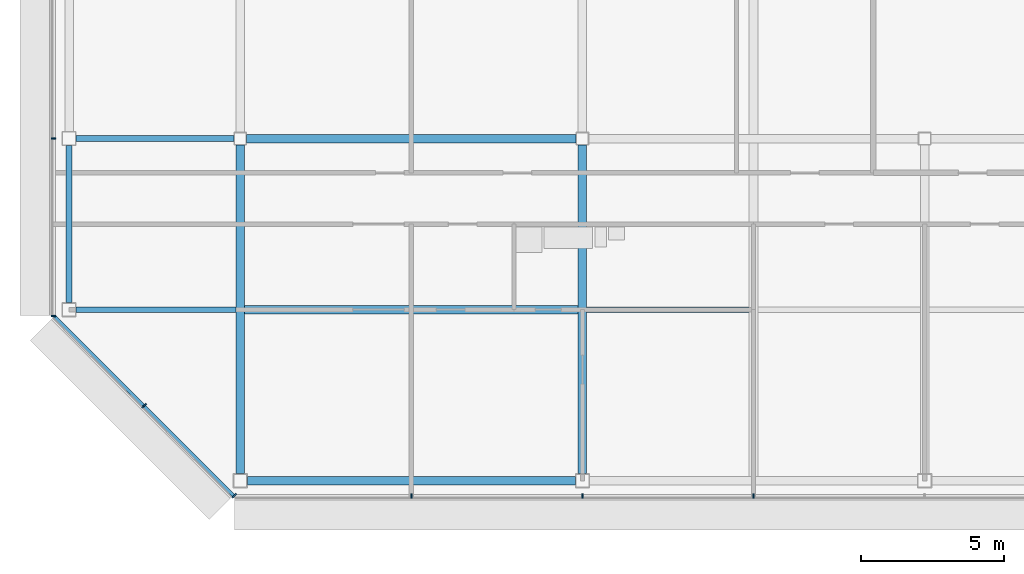
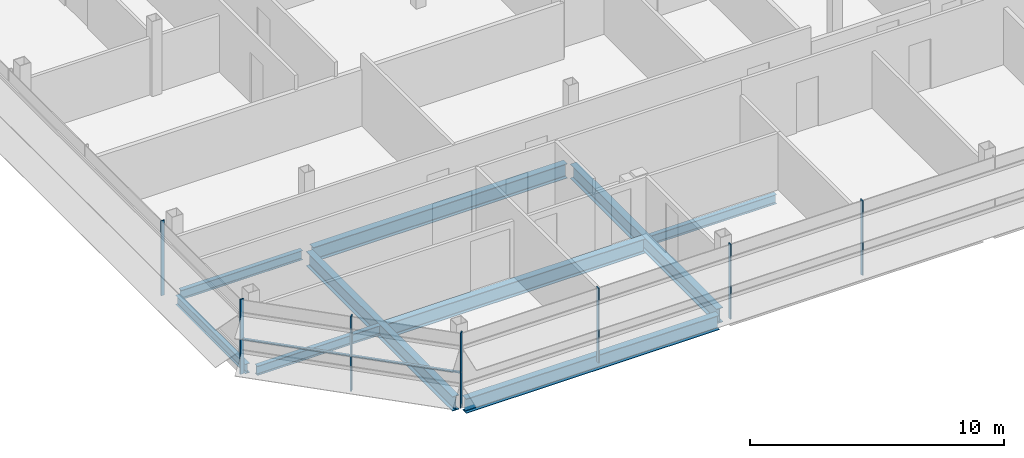
# One storey, part 4 of 27: 9 beams, 8 members, 3 elements without a shape of their own.
"""IFC4 building model written with IfcOpenShell, lengths in metres."""

from ifc_helpers import new_model, si_unit, direction, frame, origin, origin_2d, place, context, subcontext, project, spatial, rectangle, i_section, extrude, material, material_profile, profile_set, type_object, element, aggregate, save


model = new_model("IFC4")

# Units and contexts
model_context = context("Model", 3, precision=1e-05, world=origin(), true_north=direction((0.0, 1.0)))
body_context = subcontext(model_context, "Body", "Model", "MODEL_VIEW")
ifc_project = project(units=[si_unit("LENGTHUNIT", "METRE"), si_unit("AREAUNIT", "SQUARE_METRE"), si_unit("VOLUMEUNIT", "CUBIC_METRE"), si_unit("PLANEANGLEUNIT", "RADIAN"), si_unit("MASSUNIT", "GRAM", prefix="KILO")], contexts=[model_context])

# Site, building, storey
site_placement = place(None, origin())
site = spatial("IfcSite", under=ifc_project, at=site_placement, CompositionType="ELEMENT")
building_placement = place(site_placement, origin())
building = spatial("IfcBuilding", under=site, at=building_placement, Name="Sorahane Residences", CompositionType="ELEMENT")
storey_placement = place(building_placement, frame((0.0, 0.0, 312.39990234375)))
storey = spatial("IfcBuildingStorey", under=building, at=storey_placement, Name="L74", CompositionType="ELEMENT", Elevation=312.39990234375)

# Curtain wall, members
ifc_material_1 = material(Name="Dark low-e glass and black anodised aluminium", Category="aluminium")
curtain_wall_type_1 = type_object("IfcCurtainWallType", Name="Curtain wall CW-1 Typical unitised wall", PredefinedType="NOTDEFINED", material=ifc_material_1)
curtain_wall_1_placement = place(storey_placement, origin())
curtain_wall_1 = element("IfcCurtainWall", 1, at=curtain_wall_1_placement, inside=storey, type_object=curtain_wall_type_1, Name="CW-1 curtain wall L74 S1", PredefinedType="NOTDEFINED")
ifc_material_2 = material(Name="Black anodised aluminium", Category="aluminium")
ifc_material_profile_1 = material_profile(ifc_material_2, rectangle(XDim=0.159912109375, YDim=0.050048828125, at=origin_2d()), Name="Curtain wall mullion CW-1 black anodised aluminium 50x160")
ifc_profile_set_1 = profile_set([ifc_material_profile_1], Name="Black anodised aluminium")
member_type_1 = type_object("IfcMemberType", Name="Curtain wall mullion CW-1 black anodised aluminium 50x160", PredefinedType="MULLION", material=ifc_profile_set_1)
member_1_placement = place(storey_placement, frame((-6.0, -0.5400390625, -0.179931640625), z_axis=(0.0, 0.0, 1.0), x_axis=(0.0, -1.0, 0.0)))
member_1 = element("IfcMember", 2, at=member_1_placement, type_object=member_type_1, Name="CW-1 mullion L74 S1.2", PredefinedType="MULLION", context=body_context, shape_type="SweptSolid", body=[
    extrude(rectangle(XDim=0.159912109375, YDim=0.050048828125, at=origin_2d()), origin(), (0.0, 0.0, 1.0), 3.60009765625),
])
member_2_placement = place(storey_placement, frame((0.0, -0.5400390625, -0.179931640625), z_axis=(0.0, 0.0, 1.0), x_axis=(0.0, -1.0, 0.0)))
member_2 = element("IfcMember", 3, at=member_2_placement, type_object=member_type_1, Name="CW-1 mullion L74 S1.3", PredefinedType="MULLION", context=body_context, shape_type="SweptSolid", body=[
    extrude(rectangle(XDim=0.159912109375, YDim=0.050048828125, at=origin_2d()), origin(), (0.0, 0.0, 1.0), 3.60009765625),
])
member_3_placement = place(storey_placement, frame((6.0, -0.5400390625, -0.179931640625), z_axis=(0.0, 0.0, 1.0), x_axis=(0.0, -1.0, 0.0)))
member_3 = element("IfcMember", 4, at=member_3_placement, type_object=member_type_1, Name="CW-1 mullion L74 S1.4", PredefinedType="MULLION", context=body_context, shape_type="SweptSolid", body=[
    extrude(rectangle(XDim=0.159912109375, YDim=0.050048828125, at=origin_2d()), origin(), (0.0, 0.0, 1.0), 3.60009765625),
])
aggregate(curtain_wall_1, [member_1, member_2, member_3])

curtain_wall_2_placement = place(storey_placement, origin())
curtain_wall_2 = element("IfcCurtainWall", 5, at=curtain_wall_2_placement, inside=storey, type_object=curtain_wall_type_1, Name="CW-1 curtain wall L74 W1", PredefinedType="NOTDEFINED")
member_4_placement = place(storey_placement, frame((-18.5400390625, 12.0, -0.179931640625), z_axis=(0.0, 0.0, 1.0), x_axis=(-1.0, 0.0, 0.0)))
member_4 = element("IfcMember", 6, at=member_4_placement, type_object=member_type_1, Name="CW-1 mullion L74 W1.6", PredefinedType="MULLION", context=body_context, shape_type="SweptSolid", body=[
    extrude(rectangle(XDim=0.159912109375, YDim=0.050048828125, at=origin_2d()), origin(), (0.0, 0.0, 1.0), 3.60009765625),
])
member_5_placement = place(storey_placement, frame((-18.5400390625, 5.7763671875, -0.179931640625), z_axis=(0.0, 0.0, 1.0), x_axis=(-1.0, 0.0, 0.0)))
member_5 = element("IfcMember", 7, at=member_5_placement, type_object=member_type_1, Name="CW-1 mullion L74 W1.7", PredefinedType="MULLION", context=body_context, shape_type="SweptSolid", body=[
    extrude(rectangle(XDim=0.159912109375, YDim=0.050048828125, at=origin_2d()), origin(), (0.0, 0.0, 1.0), 3.60009765625),
])
aggregate(curtain_wall_2, [member_4, member_5])

ifc_material_3 = material(Name="Dark low-e glass and black anodised aluminium", Category="aluminium")
curtain_wall_type_2 = type_object("IfcCurtainWallType", Name="Curtain wall CW-2 Chamfer unitised wall", PredefinedType="NOTDEFINED", material=ifc_material_3)
curtain_wall_3_placement = place(storey_placement, origin())
curtain_wall_3 = element("IfcCurtainWall", 8, at=curtain_wall_3_placement, inside=storey, type_object=curtain_wall_type_2, Name="CW-2 curtain wall L74 SW1", PredefinedType="NOTDEFINED")
ifc_material_4 = material(Name="Black anodised aluminium", Category="aluminium")
ifc_material_profile_2 = material_profile(ifc_material_4, rectangle(XDim=0.199951171875, YDim=0.050048828125, at=origin_2d()), Name="Curtain wall mullion CW-2 black anodised aluminium 50x200")
ifc_profile_set_2 = profile_set([ifc_material_profile_2], Name="Black anodised aluminium")
member_type_2 = type_object("IfcMemberType", Name="Curtain wall mullion CW-2 black anodised aluminium 50x200", PredefinedType="MULLION", material=ifc_profile_set_2)
member_6_placement = place(storey_placement, frame((-15.36767578125, 2.63232421875, -0.179931640625), z_axis=(0.0, 0.0, 1.0), x_axis=(-0.707106781187, -0.707106781187, 0.0)))
member_6 = element("IfcMember", 9, at=member_6_placement, type_object=member_type_2, Name="CW-2 mullion L74 SW1.2", PredefinedType="MULLION", context=body_context, shape_type="SweptSolid", body=[
    extrude(rectangle(XDim=0.199951171875, YDim=0.050048828125, at=origin_2d()), origin(), (0.0, 0.0, 1.0), 3.60009765625),
])
member_7_placement = place(storey_placement, frame((-12.209716796875, -0.525634765625, -0.179931640625), z_axis=(0.0, 0.0, 1.0), x_axis=(-0.707106781187, -0.707106781187, 0.0)))
member_7 = element("IfcMember", 10, at=member_7_placement, type_object=member_type_2, Name="CW-2 mullion L74 SW1.3", PredefinedType="MULLION", context=body_context, shape_type="SweptSolid", body=[
    extrude(rectangle(XDim=0.199951171875, YDim=0.050048828125, at=origin_2d()), origin(), (0.0, 0.0, 1.0), 3.60009765625),
])
ifc_material_5 = material(Name="Black anodised aluminium", Category="aluminium")
ifc_material_profile_3 = material_profile(ifc_material_5, rectangle(XDim=0.10009765625, YDim=0.06005859375, at=origin_2d()), Name="Curtain wall transom CW-2 black anodised aluminium 60x100")
ifc_profile_set_3 = profile_set([ifc_material_profile_3], Name="Black anodised aluminium")
member_type_3 = type_object("IfcMemberType", Name="Curtain wall transom CW-2 black anodised aluminium 60x100", PredefinedType="USERDEFINED", material=ifc_profile_set_3)
member_8_placement = place(storey_placement, frame((-18.51513671875, 5.765625, 1.5), z_axis=(0.707106781187, -0.707106781187, 0.0), x_axis=(0.707106781187, 0.707106781187, 0.0)))
member_8 = element("IfcMember", 11, at=member_8_placement, type_object=member_type_3, Name="CW-2 transom L74 SW1", ObjectType="TRANSOM", PredefinedType="USERDEFINED", context=body_context, shape_type="SweptSolid", body=[
    extrude(rectangle(XDim=0.10009765625, YDim=0.06005859375, at=origin_2d()), origin(), (0.0, 0.0, 1.0), 8.88232421875),
])
aggregate(curtain_wall_3, [member_6, member_7, member_8])

# Beams
ifc_material_6 = material(Name="Steel Q355B", Category="steel")
ifc_material_profile_4 = material_profile(ifc_material_6, i_section(OverallWidth=0.199951171875, OverallDepth=0.449951171875, WebThickness=0.009033203125, FlangeThickness=0.013916015625, FilletRadius=0.02001953125, at=origin_2d()), Name="HN 450x200x9x14")
ifc_profile_set_4 = profile_set([ifc_material_profile_4], Name="Steel Q355B")
beam_type_1 = type_object("IfcBeamType", Name="Steel floor beam HN 450x200x9x14 Q355B", PredefinedType="BEAM", material=ifc_profile_set_4)
beam_1_placement = place(storey_placement, frame((-17.75, 12.0, -0.40478515625), z_axis=(1.0, 0.0, 0.0), x_axis=(0.0, 1.0, 0.0)))
element("IfcBeam", 12, at=beam_1_placement, inside=storey, type_object=beam_type_1, Name="Beam L74 005", PredefinedType="BEAM", context=body_context, shape_type="SweptSolid", body=[
    extrude(i_section(OverallWidth=0.199951171875, OverallDepth=0.449951171875, WebThickness=0.009033203125, FlangeThickness=0.013916015625, FilletRadius=0.02001953125, at=origin_2d()), origin(), (0.0, 0.0, 1.0), 5.52490234375),
])
beam_2_placement = place(storey_placement, frame((-18.0, 6.25, -0.40478515625), z_axis=(0.0, 1.0, 0.0), x_axis=(-1.0, 0.0, 0.0)))
element("IfcBeam", 13, at=beam_2_placement, inside=storey, type_object=beam_type_1, Name="Beam L74 020", PredefinedType="BEAM", context=body_context, shape_type="SweptSolid", body=[
    extrude(i_section(OverallWidth=0.199951171875, OverallDepth=0.449951171875, WebThickness=0.009033203125, FlangeThickness=0.013916015625, FilletRadius=0.02001953125, at=origin_2d()), origin(), (0.0, 0.0, 1.0), 5.5),
])
beam_3_placement = place(storey_placement, frame((-17.75, 6.0, -0.40478515625), z_axis=(1.0, 0.0, 0.0), x_axis=(0.0, 1.0, 0.0)))
element("IfcBeam", 14, at=beam_3_placement, inside=storey, type_object=beam_type_1, Name="Beam L74 066", PredefinedType="BEAM", context=body_context, shape_type="SweptSolid", body=[
    extrude(i_section(OverallWidth=0.199951171875, OverallDepth=0.449951171875, WebThickness=0.009033203125, FlangeThickness=0.013916015625, FilletRadius=0.02001953125, at=origin_2d()), origin(), (0.0, 0.0, 1.0), 5.60009765625),
])
beam_4_placement = place(storey_placement, frame((0.14990234375, 6.0, -0.40478515625), z_axis=(1.0, 0.0, 0.0), x_axis=(0.0, 1.0, 0.0)))
element("IfcBeam", 15, at=beam_4_placement, inside=storey, type_object=beam_type_1, Name="Beam L74 068", PredefinedType="BEAM", context=body_context, shape_type="SweptSolid", body=[
    extrude(i_section(OverallWidth=0.199951171875, OverallDepth=0.449951171875, WebThickness=0.009033203125, FlangeThickness=0.013916015625, FilletRadius=0.02001953125, at=origin_2d()), origin(), (0.0, 0.0, 1.0), 5.7001953125),
])
ifc_material_7 = material(Name="Steel Q355B", Category="steel")
ifc_material_profile_5 = material_profile(ifc_material_7, i_section(OverallWidth=0.300048828125, OverallDepth=0.699951171875, WebThickness=0.012939453125, FlangeThickness=0.02392578125, FilletRadius=0.028076171875, at=origin_2d()), Name="HN 700x300x13x24")
ifc_profile_set_5 = profile_set([ifc_material_profile_5], Name="Steel Q355B")
beam_type_2 = type_object("IfcBeamType", Name="Steel floor beam HN 700x300x13x24 Q355B", PredefinedType="BEAM", material=ifc_profile_set_5)
beam_5_placement = place(storey_placement, frame((-11.75, 0.0, -0.52978515625), z_axis=(1.0, 0.0, 0.0), x_axis=(0.0, 1.0, 0.0)))
element("IfcBeam", 16, at=beam_5_placement, inside=storey, type_object=beam_type_2, Name="Beam L74 000", PredefinedType="BEAM", context=body_context, shape_type="SweptSolid", body=[
    extrude(i_section(OverallWidth=0.300048828125, OverallDepth=0.699951171875, WebThickness=0.012939453125, FlangeThickness=0.02392578125, FilletRadius=0.028076171875, at=origin_2d()), origin(), (0.0, 0.0, 1.0), 11.5),
])
beam_6_placement = place(storey_placement, frame((-11.77490234375, 12.0, -0.52978515625), z_axis=(1.0, 0.0, 0.0), x_axis=(0.0, 1.0, 0.0)))
element("IfcBeam", 17, at=beam_6_placement, inside=storey, type_object=beam_type_2, Name="Beam L74 006", PredefinedType="BEAM", context=body_context, shape_type="SweptSolid", body=[
    extrude(i_section(OverallWidth=0.300048828125, OverallDepth=0.699951171875, WebThickness=0.012939453125, FlangeThickness=0.02392578125, FilletRadius=0.028076171875, at=origin_2d()), origin(), (0.0, 0.0, 1.0), 11.5498046875),
])
for number, where, z_axis, x_axis, name in (
    (18, (-12.0, 0.25, -0.52978515625), (0.0, 1.0, 0.0), (-1.0, 0.0, 0.0), "Beam L74 024"),
    (19, (0.0, 0.25, -0.52978515625), (0.0, 1.0, 0.0), (-1.0, 0.0, 0.0), "Beam L74 028"),
):
    element("IfcBeam", number, at=place(storey_placement, frame(where, z_axis=z_axis, x_axis=x_axis)), inside=storey, type_object=beam_type_2, Name=name, PredefinedType="BEAM", context=body_context, shape_type="SweptSolid", body=[
        extrude(i_section(OverallWidth=0.300048828125, OverallDepth=0.699951171875, WebThickness=0.012939453125, FlangeThickness=0.02392578125, FilletRadius=0.028076171875, at=origin_2d()), origin(), (0.0, 0.0, 1.0), 11.52490234375),
    ])
beam_7_placement = place(storey_placement, frame((-11.85009765625, 6.0, -0.52978515625), z_axis=(1.0, 0.0, 0.0), x_axis=(0.0, 1.0, 0.0)))
element("IfcBeam", 20, at=beam_7_placement, inside=storey, type_object=beam_type_2, Name="Beam L74 067", PredefinedType="BEAM", context=body_context, shape_type="SweptSolid", body=[
    extrude(i_section(OverallWidth=0.300048828125, OverallDepth=0.699951171875, WebThickness=0.012939453125, FlangeThickness=0.02392578125, FilletRadius=0.028076171875, at=origin_2d()), origin(), (0.0, 0.0, 1.0), 11.7001953125),
])

save(model, "model.ifc")
